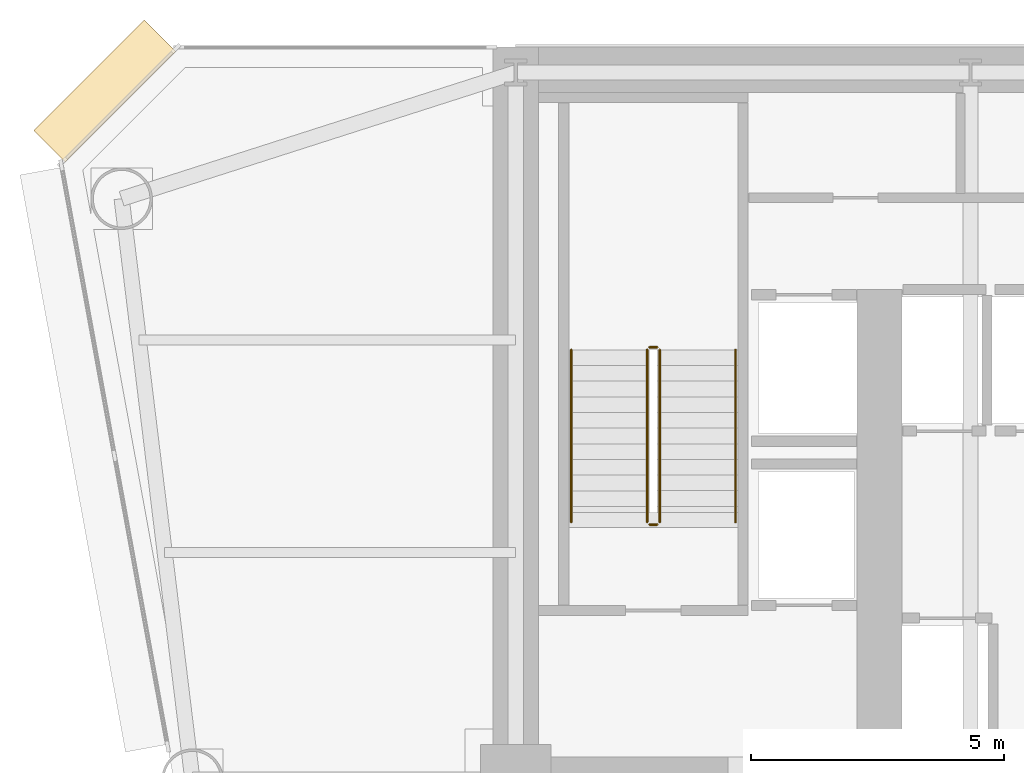
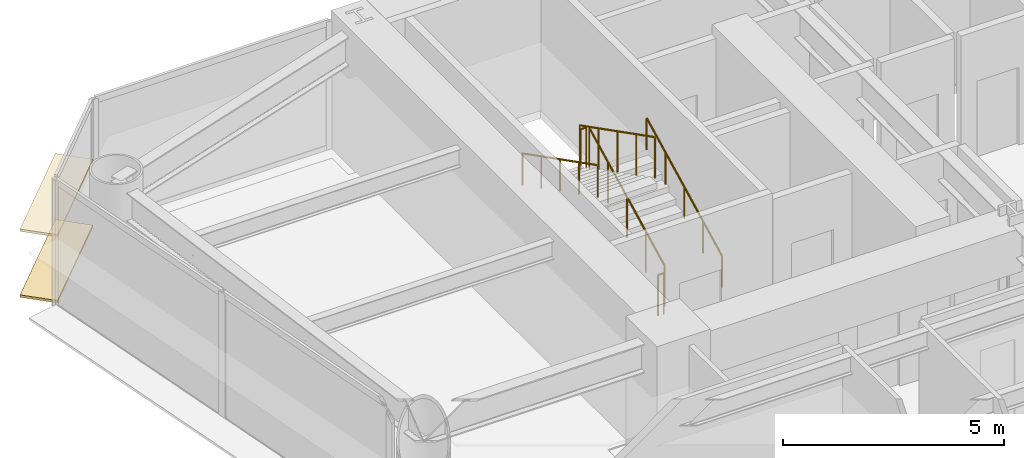
# One storey, part 12 of 14: 6 railings, 2 coverings.
"""IFC4 building model written with IfcOpenShell, lengths in metres."""

from ifc_helpers import new_model, si_unit, direction, frame, origin, origin_2d, place, context, subcontext, project, spatial, rectangle, circle, extrude, source, transform, mapped, material, layer, layer_set, type_object, element, save


model = new_model("IFC4")

# Units and contexts
model_context = context("Model", 3, precision=1e-05, world=origin(), true_north=direction((0.0, 1.0)))
body_context = subcontext(model_context, "Body", "Model", "MODEL_VIEW")
ifc_project = project(units=[si_unit("LENGTHUNIT", "METRE"), si_unit("AREAUNIT", "SQUARE_METRE"), si_unit("VOLUMEUNIT", "CUBIC_METRE"), si_unit("PLANEANGLEUNIT", "RADIAN"), si_unit("MASSUNIT", "GRAM", prefix="KILO")], contexts=[model_context])

# Site, building, storey
site_placement = place(None, origin())
site = spatial("IfcSite", under=ifc_project, at=site_placement, CompositionType="ELEMENT")
building_placement = place(site_placement, origin())
building = spatial("IfcBuilding", under=site, at=building_placement, Name="Vaeldorn Concourse Tower", CompositionType="ELEMENT")
storey_placement = place(building_placement, frame((0.0, 0.0, 79.60009765625)))
storey = spatial("IfcBuildingStorey", under=building, at=storey_placement, Name="L20", CompositionType="ELEMENT", Elevation=79.60009765625)

# Railings
ifc_material = material(Name="Anodised Bronze Aluminium", Category="aluminium")
railing_type_1 = type_object("IfcRailingType", Name="RL-STAIR-GUARD", PredefinedType="GUARDRAIL", material=ifc_material)
railing_1_placement = place(storey_placement, frame((16.85009765625, 41.60009765625, 0.158203125)))
element("IfcRailing", 1, at=railing_1_placement, inside=storey, type_object=railing_type_1, Name="L20 ST-1 stair guard 1", PredefinedType="GUARDRAIL", context=body_context, shape_type="SweptSolid", body=[
    extrude(circle(Radius=0.02392578125, at=origin_2d()), frame((0.0, 0.0, 1.1259765625), z_axis=(0.0, 0.890555807335, 0.454873997962), x_axis=(-1.0, 0.0, 0.0)), (0.0, 0.0, 1.0), 3.828857421875),
    extrude(circle(Radius=0.02099609375, at=origin_2d()), origin(), (0.0, 0.0, 1.0), 1.101806640625),
    extrude(circle(Radius=0.02099609375, at=origin_2d()), frame((0.0, 0.8525390625, 0.435546875)), (0.0, 0.0, 1.0), 1.101806640625),
    extrude(circle(Radius=0.02099609375, at=origin_2d()), frame((0.0, 1.705078125, 0.870849609375)), (0.0, 0.0, 1.0), 1.101806640625),
    extrude(circle(Radius=0.02099609375, at=origin_2d()), frame((0.0, 2.557373046875, 1.30615234375)), (0.0, 0.0, 1.0), 1.101806640625),
    extrude(circle(Radius=0.02099609375, at=origin_2d()), frame((0.0, 3.409912109375, 1.74169921875)), (0.0, 0.0, 1.0), 1.101806640625),
])
railing_2_placement = place(storey_placement, frame((16.800048828125, 45.06005859375, 1.89990234375)))
element("IfcRailing", 2, at=railing_2_placement, inside=storey, type_object=railing_type_1, Name="L20 ST-1 stair guard 2", PredefinedType="GUARDRAIL", context=body_context, shape_type="SweptSolid", body=[
    extrude(circle(Radius=0.02392578125, at=origin_2d()), frame((0.0, 0.0, 1.1259765625), z_axis=(-1.0, 0.0, 0.0), x_axis=(0.0, -1.0, 0.0)), (0.0, 0.0, 1.0), 0.150146484375),
    extrude(circle(Radius=0.02099609375, at=origin_2d()), origin(), (0.0, 0.0, 1.0), 1.101806640625),
    extrude(circle(Radius=0.02099609375, at=origin_2d()), frame((-0.150146484375, 0.0, 0.0)), (0.0, 0.0, 1.0), 1.101806640625),
])
railing_3_placement = place(storey_placement, frame((16.60009765625, 45.010009765625, 2.058349609375)))
element("IfcRailing", 3, at=railing_3_placement, inside=storey, type_object=railing_type_1, Name="L20 ST-1 stair guard 3", PredefinedType="GUARDRAIL", context=body_context, shape_type="SweptSolid", body=[
    extrude(circle(Radius=0.02392578125, at=origin_2d()), frame((0.0, 0.0, 1.1259765625), z_axis=(0.0, -0.890581635807, 0.454823427236), x_axis=(1.0, 0.0, 0.0)), (0.0, 0.0, 1.0), 3.828857421875),
    extrude(circle(Radius=0.02099609375, at=origin_2d()), origin(), (0.0, 0.0, 1.0), 1.101806640625),
    extrude(circle(Radius=0.02099609375, at=origin_2d()), frame((0.0, -0.8525390625, 0.435302734375)), (0.0, 0.0, 1.0), 1.101806640625),
    extrude(circle(Radius=0.02099609375, at=origin_2d()), frame((0.0, -1.705078125, 0.87060546875)), (0.0, 0.0, 1.0), 1.101806640625),
    extrude(circle(Radius=0.02099609375, at=origin_2d()), frame((0.0, -2.557373046875, 1.30615234375)), (0.0, 0.0, 1.0), 1.101806640625),
    extrude(circle(Radius=0.02099609375, at=origin_2d()), frame((0.0, -3.409912109375, 1.741455078125)), (0.0, 0.0, 1.0), 1.101806640625),
])
railing_4_placement = place(storey_placement, frame((16.800048828125, 41.550048828125, 0.0)))
element("IfcRailing", 4, at=railing_4_placement, inside=storey, type_object=railing_type_1, Name="L20 ST-1 stair guard 4", PredefinedType="GUARDRAIL", context=body_context, shape_type="SweptSolid", body=[
    extrude(circle(Radius=0.02392578125, at=origin_2d()), frame((0.0, 0.0, 1.1259765625), z_axis=(-1.0, 0.0, 0.0), x_axis=(0.0, -1.0, 0.0)), (0.0, 0.0, 1.0), 0.150146484375),
    extrude(circle(Radius=0.02099609375, at=origin_2d()), origin(), (0.0, 0.0, 1.0), 1.101806640625),
    extrude(circle(Radius=0.02099609375, at=origin_2d()), frame((-0.150146484375, 0.0, 0.0)), (0.0, 0.0, 1.0), 1.101806640625),
])
railing_type_2 = type_object("IfcRailingType", Name="RL-STAIR-HANDRAIL", PredefinedType="HANDRAIL", material=ifc_material)
railing_5_placement = place(storey_placement, frame((18.35009765625, 41.60009765625, 0.158203125)))
element("IfcRailing", 5, at=railing_5_placement, inside=storey, type_object=railing_type_2, Name="L20 ST-1 stair handrail 1", PredefinedType="HANDRAIL", context=body_context, shape_type="SweptSolid", body=[
    extrude(circle(Radius=0.02392578125, at=origin_2d()), frame((0.0, 0.0, 0.8759765625), z_axis=(0.0, 0.890555807335, 0.454873997962), x_axis=(-1.0, 0.0, 0.0)), (0.0, 0.0, 1.0), 3.828857421875),
    extrude(circle(Radius=0.02099609375, at=origin_2d()), origin(), (0.0, 0.0, 1.0), 0.851806640625),
    extrude(circle(Radius=0.02099609375, at=origin_2d()), frame((0.0, 0.8525390625, 0.435546875)), (0.0, 0.0, 1.0), 0.851806640625),
    extrude(circle(Radius=0.02099609375, at=origin_2d()), frame((0.0, 1.705078125, 0.870849609375)), (0.0, 0.0, 1.0), 0.851806640625),
    extrude(circle(Radius=0.02099609375, at=origin_2d()), frame((0.0, 2.557373046875, 1.30615234375)), (0.0, 0.0, 1.0), 0.851806640625),
    extrude(circle(Radius=0.02099609375, at=origin_2d()), frame((0.0, 3.409912109375, 1.74169921875)), (0.0, 0.0, 1.0), 0.851806640625),
])
railing_6_placement = place(storey_placement, frame((15.10009765625, 45.010009765625, 2.058349609375)))
element("IfcRailing", 6, at=railing_6_placement, inside=storey, type_object=railing_type_2, Name="L20 ST-1 stair handrail 2", PredefinedType="HANDRAIL", context=body_context, shape_type="SweptSolid", body=[
    extrude(circle(Radius=0.02392578125, at=origin_2d()), frame((0.0, 0.0, 0.8759765625), z_axis=(0.0, -0.890581635807, 0.454823427236), x_axis=(1.0, 0.0, 0.0)), (0.0, 0.0, 1.0), 3.828857421875),
    extrude(circle(Radius=0.02099609375, at=origin_2d()), origin(), (0.0, 0.0, 1.0), 0.851806640625),
    extrude(circle(Radius=0.02099609375, at=origin_2d()), frame((0.0, -0.8525390625, 0.435302734375)), (0.0, 0.0, 1.0), 0.851806640625),
    extrude(circle(Radius=0.02099609375, at=origin_2d()), frame((0.0, -1.705078125, 0.87060546875)), (0.0, 0.0, 1.0), 0.851806640625),
    extrude(circle(Radius=0.02099609375, at=origin_2d()), frame((0.0, -2.557373046875, 1.30615234375)), (0.0, 0.0, 1.0), 0.851806640625),
    extrude(circle(Radius=0.02099609375, at=origin_2d()), frame((0.0, -3.409912109375, 1.741455078125)), (0.0, 0.0, 1.0), 0.851806640625),
])

# Coverings
ifc_layer = layer(ifc_material, 0.06494140625)
ifc_layer_set = layer_set([ifc_layer], Name="Anodised Bronze Aluminium")
covering_type = type_object("IfcCoveringType", Name="SD-BRONZE-SUNSHADE", PredefinedType="USERDEFINED", material=ifc_layer_set)
shared_shape = source(origin(), body_context, "Body", "SweptSolid", [
    extrude(rectangle(XDim=3.0927734375, YDim=0.8798828125, at=origin_2d()), origin(), (0.0, 0.0, 1.0), 0.06494140625),
])
for number, where, z_axis, x_axis, name in (
    (7, (5.8671875, 50.1328125, 0.04736328125), (0.0, 0.0, 1.0), (-0.707106781187, -0.707106781187, 0.0), "Horizontal Bronze Sunshade L20-E10.1.1"),
    (8, (5.8671875, 50.1328125, 1.867431640625), (0.0, 0.0, 1.0), (-0.707106781187, -0.707106781187, 0.0), "Horizontal Bronze Sunshade L20-E10.1.2"),
):
    element("IfcCovering", number, at=place(storey_placement, frame(where, z_axis=z_axis, x_axis=x_axis)), inside=storey, type_object=covering_type, Name=name, ObjectType="SUNSHADE", PredefinedType="USERDEFINED", context=body_context, shape_type="MappedRepresentation", body=[
        mapped(shared_shape, transform((0.0, 0.0, 0.0), scale=1.0)),
    ])

save(model, "model.ifc")
